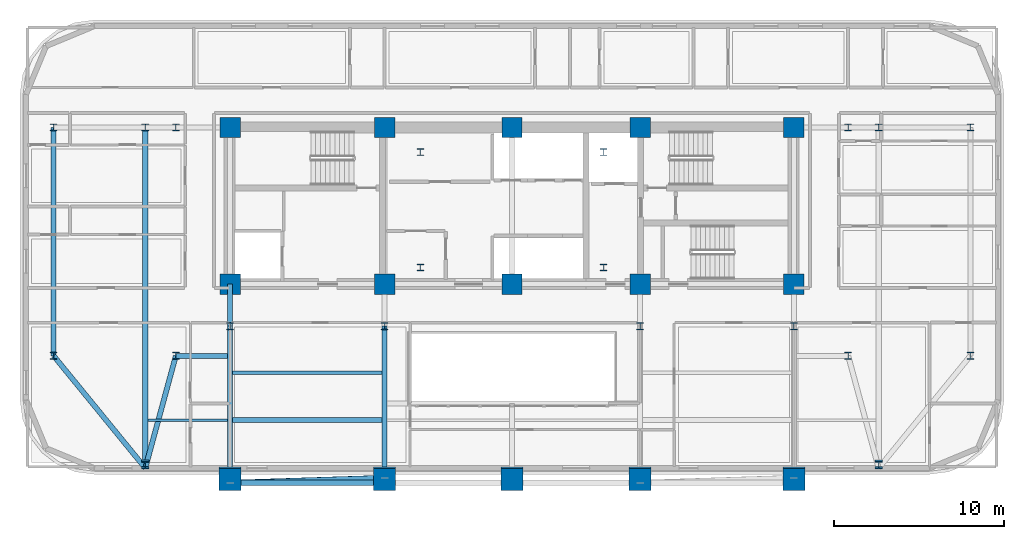
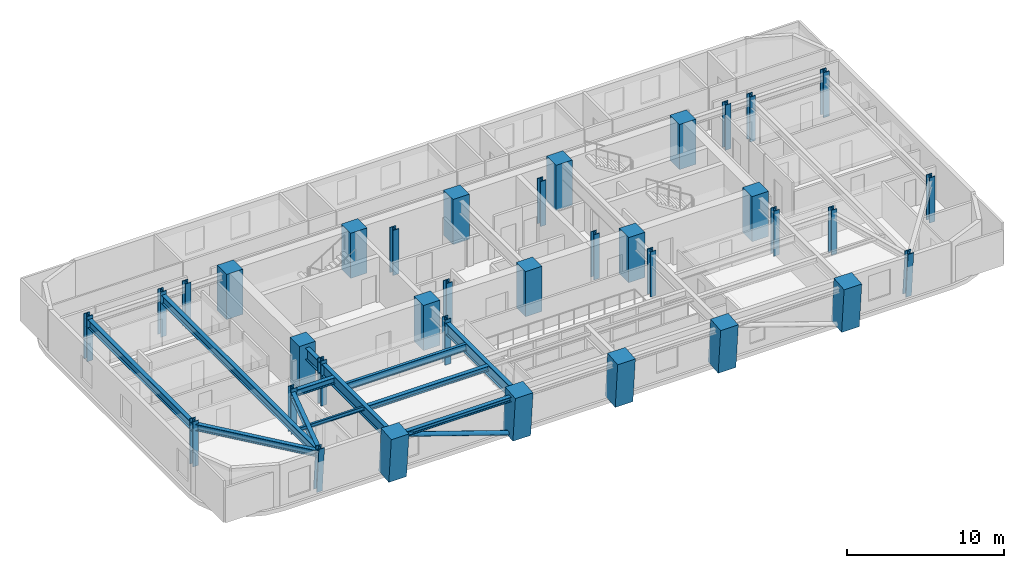
# One storey, part 1 of 14: 35 columns, 12 beams, 1 member.
"""IFC4 building model written with IfcOpenShell, lengths in metres."""

from ifc_helpers import new_model, si_unit, direction, frame, origin, origin_2d, place, context, subcontext, project, spatial, rectangle, hollow_circle, i_section, extrude, material, material_profile, profile_set, type_object, element, save


model = new_model("IFC4")

# Units and contexts
model_context = context("Model", 3, precision=1e-05, world=origin(), true_north=direction((0.0, 1.0)))
body_context = subcontext(model_context, "Body", "Model", "MODEL_VIEW")
ifc_project = project(units=[si_unit("LENGTHUNIT", "METRE"), si_unit("AREAUNIT", "SQUARE_METRE"), si_unit("VOLUMEUNIT", "CUBIC_METRE"), si_unit("PLANEANGLEUNIT", "RADIAN"), si_unit("MASSUNIT", "GRAM", prefix="KILO")], contexts=[model_context])

# Site, building, storey
site_placement = place(None, origin())
site = spatial("IfcSite", under=ifc_project, at=site_placement, CompositionType="ELEMENT")
building_placement = place(site_placement, origin())
building = spatial("IfcBuilding", under=site, at=building_placement, Name="Zarnavel Station Tower", CompositionType="ELEMENT")
storey_placement = place(building_placement, frame((0.0, 0.0, 108.300048828125)))
storey = spatial("IfcBuildingStorey", under=building, at=storey_placement, Name="L29", CompositionType="ELEMENT", Elevation=108.300048828125)

# Columns
ifc_material_1 = material(Name="Steel S460M", Category="steel")
ifc_material_profile_1 = material_profile(ifc_material_1, i_section(OverallWidth=0.41796875, OverallDepth=0.431884765625, WebThickness=0.034912109375, FlangeThickness=0.055908203125, FilletRadius=0.014892578125, at=origin_2d()), Name="HD400x421")
ifc_profile_set_1 = profile_set([ifc_material_profile_1], Name="Steel S460M")
column_type_1 = type_object("IfcColumnType", Name="EC_HD421", PredefinedType="COLUMN", material=ifc_profile_set_1)
for number, where, z_axis, x_axis, name in (
    (1, (1.800048828125, 23.60009765625, 0.0), (0.0, 0.0, 1.0), (1.0, 0.0, 0.0), "L29 Outer Wing South Column 1"),
    (2, (1.800048828125, 37.050048828125, 0.0), (0.0, 0.0, 1.0), (1.0, 0.0, 0.0), "L29 Outer Wing North Column 1"),
):
    element("IfcColumn", number, at=place(storey_placement, frame(where, z_axis=z_axis, x_axis=x_axis)), inside=storey, type_object=column_type_1, Name=name, PredefinedType="COLUMN", context=body_context, shape_type="SweptSolid", body=[
        extrude(i_section(OverallWidth=0.41796875, OverallDepth=0.431884765625, WebThickness=0.034912109375, FlangeThickness=0.055908203125, FilletRadius=0.014892578125, at=origin_2d()), origin(), (0.0, 0.0, 1.0), 3.5),
    ])
for number, where, z_axis, x_axis, name in (
    (3, (7.199951171875, 17.244140625, 0.0), (0.0, -0.079891690793, 0.996803550226), (1.0, 0.0, 0.0), "L29 Raked Wing Column 2"),
    (4, (50.39990234375, 17.244140625, 0.0), (0.0, -0.079891690793, 0.996803550226), (1.0, 0.0, 0.0), "L29 Raked Wing Column 3"),
):
    element("IfcColumn", number, at=place(storey_placement, frame(where, z_axis=z_axis, x_axis=x_axis)), inside=storey, type_object=column_type_1, Name=name, PredefinedType="COLUMN", context=body_context, shape_type="SweptSolid", body=[
        extrude(i_section(OverallWidth=0.41796875, OverallDepth=0.431884765625, WebThickness=0.034912109375, FlangeThickness=0.055908203125, FilletRadius=0.014892578125, at=origin_2d()), origin(), (0.0, 0.0, 1.0), 3.51123046875),
    ])
for number, where, z_axis, x_axis, name in (
    (5, (55.800048828125, 23.60009765625, 0.0), (0.0, 0.0, 1.0), (1.0, 0.0, 0.0), "L29 Outer Wing South Column 4"),
    (6, (55.800048828125, 37.050048828125, 0.0), (0.0, 0.0, 1.0), (1.0, 0.0, 0.0), "L29 Outer Wing North Column 4"),
):
    element("IfcColumn", number, at=place(storey_placement, frame(where, z_axis=z_axis, x_axis=x_axis)), inside=storey, type_object=column_type_1, Name=name, PredefinedType="COLUMN", context=body_context, shape_type="SweptSolid", body=[
        extrude(i_section(OverallWidth=0.41796875, OverallDepth=0.431884765625, WebThickness=0.034912109375, FlangeThickness=0.055908203125, FilletRadius=0.014892578125, at=origin_2d()), origin(), (0.0, 0.0, 1.0), 3.5),
    ])
ifc_material_2 = material(Name="Steel S460M", Category="steel")
ifc_material_profile_2 = material_profile(ifc_material_2, i_section(OverallWidth=0.41796875, OverallDepth=0.431884765625, WebThickness=0.034912109375, FlangeThickness=0.055908203125, FilletRadius=0.014892578125, at=origin_2d()), Name="HD400x421")
ifc_profile_set_2 = profile_set([ifc_material_profile_2], Name="Steel S460M")
column_type_2 = type_object("IfcColumnType", Name="IC_HD421", PredefinedType="COLUMN", material=ifc_profile_set_2)
for number, where, z_axis, x_axis, name in (
    (7, (23.39990234375, 28.800048828125, 0.0), (0.0, 0.0, 1.0), (1.0, 0.0, 0.0), "L29 Mast Spine Column 1"),
    (8, (34.199951171875, 28.800048828125, 0.0), (0.0, 0.0, 1.0), (1.0, 0.0, 0.0), "L29 Mast Spine Column 2"),
    (9, (34.199951171875, 35.60009765625, 0.0), (0.0, 0.0, 1.0), (1.0, 0.0, 0.0), "L29 Mast Spine Column 3"),
    (10, (23.39990234375, 35.60009765625, 0.0), (0.0, 0.0, 1.0), (1.0, 0.0, 0.0), "L29 Mast Spine Column 4"),
    (11, (12.199951171875, 25.35009765625, 0.0), (0.0, 0.0, 1.0), (1.0, 0.0, 0.0), "L29 Inner Spine Column 1"),
    (12, (21.300048828125, 25.35009765625, 0.0), (0.0, 0.0, 1.0), (1.0, 0.0, 0.0), "L29 Inner Spine Column 2"),
    (13, (36.35009765625, 25.35009765625, 0.0), (0.0, 0.0, 1.0), (1.0, 0.0, 0.0), "L29 Inner Spine Column 4"),
    (14, (45.39990234375, 25.35009765625, 0.0), (0.0, 0.0, 1.0), (1.0, 0.0, 0.0), "L29 Inner Spine Column 5"),
    (15, (9.0, 23.60009765625, 0.0), (0.0, 0.0, 1.0), (1.0, 0.0, 0.0), "L29 Inner Wing Spine Column 1-1"),
    (16, (9.0, 37.050048828125, 0.0), (0.0, 0.0, 1.0), (1.0, 0.0, 0.0), "L29 Inner Wing Spine Column 1-2"),
    (17, (48.60009765625, 23.60009765625, 0.0), (0.0, 0.0, 1.0), (1.0, 0.0, 0.0), "L29 Inner Wing Spine Column 2-1"),
    (18, (48.60009765625, 37.050048828125, 0.0), (0.0, 0.0, 1.0), (1.0, 0.0, 0.0), "L29 Inner Wing Spine Column 2-2"),
    (19, (7.199951171875, 37.050048828125, 0.0), (0.0, 0.0, 1.0), (1.0, 0.0, 0.0), "L29 Outer Wing North Column 2"),
    (20, (50.39990234375, 37.050048828125, 0.0), (0.0, 0.0, 1.0), (1.0, 0.0, 0.0), "L29 Outer Wing North Column 3"),
):
    element("IfcColumn", number, at=place(storey_placement, frame(where, z_axis=z_axis, x_axis=x_axis)), inside=storey, type_object=column_type_2, Name=name, PredefinedType="COLUMN", context=body_context, shape_type="SweptSolid", body=[
        extrude(i_section(OverallWidth=0.41796875, OverallDepth=0.431884765625, WebThickness=0.034912109375, FlangeThickness=0.055908203125, FilletRadius=0.014892578125, at=origin_2d()), origin(), (0.0, 0.0, 1.0), 3.5),
    ])
ifc_material_3 = material(Name="Concrete C50/60", Category="concrete")
ifc_material_profile_3 = material_profile(ifc_material_3, rectangle(XDim=1.199951171875, YDim=1.199951171875, at=origin_2d()), Name="RC1200x1200")
ifc_profile_set_3 = profile_set([ifc_material_profile_3], Name="Concrete C50/60")
column_type_3 = type_object("IfcColumnType", Name="IC_RC1200", PredefinedType="COLUMN", material=ifc_profile_set_3)
for number, where, z_axis, x_axis, name in (
    (21, (12.199951171875, 27.820068359375, 0.0), (0.0, 0.0, 1.0), (1.0, 0.0, 0.0), "L29 Core Spine Column 1-1"),
    (22, (12.199951171875, 37.050048828125, 0.0), (0.0, 0.0, 1.0), (1.0, 0.0, 0.0), "L29 Core Spine Column 1-2"),
    (23, (21.300048828125, 27.820068359375, 0.0), (0.0, 0.0, 1.0), (1.0, 0.0, 0.0), "L29 Core Spine Column 2-1"),
    (24, (21.300048828125, 37.050048828125, 0.0), (0.0, 0.0, 1.0), (1.0, 0.0, 0.0), "L29 Core Spine Column 2-2"),
    (25, (28.800048828125, 27.820068359375, 0.0), (0.0, 0.0, 1.0), (1.0, 0.0, 0.0), "L29 Core Spine Column 3-1"),
    (26, (28.800048828125, 37.050048828125, 0.0), (0.0, 0.0, 1.0), (1.0, 0.0, 0.0), "L29 Core Spine Column 3-2"),
    (27, (36.35009765625, 27.820068359375, 0.0), (0.0, 0.0, 1.0), (1.0, 0.0, 0.0), "L29 Core Spine Column 4-1"),
    (28, (36.35009765625, 37.050048828125, 0.0), (0.0, 0.0, 1.0), (1.0, 0.0, 0.0), "L29 Core Spine Column 4-2"),
    (29, (45.39990234375, 27.820068359375, 0.0), (0.0, 0.0, 1.0), (1.0, 0.0, 0.0), "L29 Core Spine Column 5-1"),
    (30, (45.39990234375, 37.050048828125, 0.0), (0.0, 0.0, 1.0), (1.0, 0.0, 0.0), "L29 Core Spine Column 5-2"),
):
    element("IfcColumn", number, at=place(storey_placement, frame(where, z_axis=z_axis, x_axis=x_axis)), inside=storey, type_object=column_type_3, Name=name, PredefinedType="COLUMN", context=body_context, shape_type="SweptSolid", body=[
        extrude(rectangle(XDim=1.199951171875, YDim=1.199951171875, at=origin_2d()), origin(), (0.0, 0.0, 1.0), 3.5),
    ])
ifc_material_4 = material(Name="Concrete C60/75", Category="concrete")
ifc_material_profile_4 = material_profile(ifc_material_4, rectangle(XDim=1.300048828125, YDim=1.300048828125, at=origin_2d()), Name="RC1300x1300")
ifc_profile_set_4 = profile_set([ifc_material_profile_4], Name="Concrete C60/75")
column_type_4 = type_object("IfcColumnType", Name="MC_RC1300", PredefinedType="COLUMN", material=ifc_profile_set_4)
for number, where, z_axis, x_axis, name in (
    (31, (12.199951171875, 16.413818359375, 0.0), (0.0, -0.090241349316, 0.995919925935), (1.0, 0.0, 0.0), "L29 Raked South Mega-Column 1"),
    (32, (21.300048828125, 16.413818359375, 0.0), (0.0, -0.090241349316, 0.995919925935), (1.0, 0.0, 0.0), "L29 Raked South Mega-Column 2"),
    (33, (28.800048828125, 16.413818359375, 0.0), (0.0, -0.090241349316, 0.995919925935), (1.0, 0.0, 0.0), "L29 Raked South Mega-Column 3"),
    (34, (36.35009765625, 16.413818359375, 0.0), (0.0, -0.090241349316, 0.995919925935), (1.0, 0.0, 0.0), "L29 Raked South Mega-Column 4"),
    (35, (45.39990234375, 16.413818359375, 0.0), (0.0, -0.090241349316, 0.995919925935), (1.0, 0.0, 0.0), "L29 Raked South Mega-Column 5"),
):
    element("IfcColumn", number, at=place(storey_placement, frame(where, z_axis=z_axis, x_axis=x_axis)), inside=storey, type_object=column_type_4, Name=name, PredefinedType="COLUMN", context=body_context, shape_type="SweptSolid", body=[
        extrude(rectangle(XDim=1.300048828125, YDim=1.300048828125, at=origin_2d()), origin(), (0.0, 0.0, 1.0), 3.514404296875),
    ])

# Member
ifc_material_5 = material(Name="Steel S355J2", Category="steel")
ifc_material_profile_5 = material_profile(ifc_material_5, hollow_circle(Radius=0.161865234375, WallThickness=0.012451171875, at=origin_2d()), Name="CHS323.9x12.5")
ifc_profile_set_5 = profile_set([ifc_material_profile_5], Name="Steel S355J2")
member_type = type_object("IfcMemberType", Name="DB_EXT_CHS324", PredefinedType="BRACE", material=ifc_profile_set_5)
member_placement = place(storey_placement, frame((21.300048828125, 16.413818359375, 0.0), z_axis=(-0.941635675338, -0.030390827854, 0.335259082669), x_axis=(0.032257711549, -0.999479584607, 0.0)))
element("IfcMember", 36, at=member_placement, inside=storey, type_object=member_type, Name="L29 Persian Exterior Diagonal Frame Brace 1", PredefinedType="BRACE", context=body_context, shape_type="SweptSolid", body=[
    extrude(hollow_circle(Radius=0.161865234375, WallThickness=0.012451171875, at=origin_2d()), origin(), (0.0, 0.0, 1.0), 9.6640625),
])

# Beams
ifc_material_6 = material(Name="Steel S355J2", Category="steel")
ifc_material_profile_6 = material_profile(ifc_material_6, i_section(OverallWidth=0.300048828125, OverallDepth=0.360107421875, WebThickness=0.012451171875, FlangeThickness=0.0224609375, FilletRadius=0.027099609375, at=origin_2d()), Name="HEB360")
ifc_profile_set_6 = profile_set([ifc_material_profile_6], Name="Steel S355J2")
beam_type_1 = type_object("IfcBeamType", Name="EB_HEB360", PredefinedType="SPANDREL", material=ifc_profile_set_6)
beam_1_placement = place(storey_placement, frame((12.199951171875, 16.1201171875, 3.06005859375), z_axis=(1.0, 0.0, 0.0), x_axis=(0.0, 1.0, 0.0)))
element("IfcBeam", 37, at=beam_1_placement, inside=storey, type_object=beam_type_1, Name="L29 South Raked Spandrel 1", PredefinedType="SPANDREL", context=body_context, shape_type="SweptSolid", body=[
    extrude(i_section(OverallWidth=0.300048828125, OverallDepth=0.360107421875, WebThickness=0.012451171875, FlangeThickness=0.0224609375, FilletRadius=0.027099609375, at=origin_2d()), origin(), (0.0, 0.0, 1.0), 9.10009765625),
])
ifc_material_7 = material(Name="Steel S355J2", Category="steel")
ifc_material_profile_7 = material_profile(ifc_material_7, i_section(OverallWidth=0.300048828125, OverallDepth=0.389892578125, WebThickness=0.010986328125, FlangeThickness=0.01904296875, FilletRadius=0.027099609375, at=origin_2d()), Name="HEA400")
ifc_profile_set_7 = profile_set([ifc_material_profile_7], Name="Steel S355J2")
beam_type_2 = type_object("IfcBeamType", Name="FB_HEA400", PredefinedType="BEAM", material=ifc_profile_set_7)
beam_2_placement = place(storey_placement, frame((12.344970703125, 19.8134765625, 3.044921875), z_axis=(1.0, 0.0, 0.0), x_axis=(0.0, 1.0, 0.0)))
element("IfcBeam", 38, at=beam_2_placement, inside=storey, type_object=beam_type_2, Name="L29 West Bay Beam 1", PredefinedType="BEAM", context=body_context, shape_type="SweptSolid", body=[
    extrude(i_section(OverallWidth=0.300048828125, OverallDepth=0.389892578125, WebThickness=0.010986328125, FlangeThickness=0.01904296875, FilletRadius=0.027099609375, at=origin_2d()), origin(), (0.0, 0.0, 1.0), 8.81005859375),
])
ifc_material_8 = material(Name="Steel S355J2", Category="steel")
ifc_material_profile_8 = material_profile(ifc_material_8, i_section(OverallWidth=0.2099609375, OverallDepth=0.550048828125, WebThickness=0.010986328125, FlangeThickness=0.01708984375, FilletRadius=0.02392578125, at=origin_2d()), Name="IPE550")
ifc_profile_set_8 = profile_set([ifc_material_profile_8], Name="Steel S355J2")
beam_type_3 = type_object("IfcBeamType", Name="FB_IPE550", PredefinedType="BEAM", material=ifc_profile_set_8)
beam_3_placement = place(storey_placement, frame((12.344970703125, 22.606689453125, 2.96484375), z_axis=(1.0, 0.0, 0.0), x_axis=(0.0, 1.0, 0.0)))
element("IfcBeam", 39, at=beam_3_placement, inside=storey, type_object=beam_type_3, Name="L29 West Bay Beam 2", PredefinedType="BEAM", context=body_context, shape_type="SweptSolid", body=[
    extrude(i_section(OverallWidth=0.2099609375, OverallDepth=0.550048828125, WebThickness=0.010986328125, FlangeThickness=0.01708984375, FilletRadius=0.02392578125, at=origin_2d()), origin(), (0.0, 0.0, 1.0), 8.81005859375),
])
ifc_material_9 = material(Name="Steel S355J2", Category="steel")
ifc_material_profile_9 = material_profile(ifc_material_9, i_section(OverallWidth=0.300048828125, OverallDepth=0.5, WebThickness=0.014404296875, FlangeThickness=0.028076171875, FilletRadius=0.027099609375, at=origin_2d()), Name="HEB500")
ifc_profile_set_9 = profile_set([ifc_material_profile_9], Name="Steel S355J2")
beam_type_4 = type_object("IfcBeamType", Name="FG_HEB500", PredefinedType="USERDEFINED", material=ifc_profile_set_9)
beam_4_placement = place(storey_placement, frame((1.800048828125, 23.60009765625, 2.989990234375), z_axis=(0.632342176196, -0.774689210073, 0.0), x_axis=(0.774689210073, 0.632342176196, 0.0)))
element("IfcBeam", 40, at=beam_4_placement, inside=storey, type_object=beam_type_4, Name="L29 West Wing South Tie 1", ObjectType="GIRDER", PredefinedType="USERDEFINED", context=body_context, shape_type="SweptSolid", body=[
    extrude(i_section(OverallWidth=0.300048828125, OverallDepth=0.5, WebThickness=0.014404296875, FlangeThickness=0.028076171875, FilletRadius=0.027099609375, at=origin_2d()), origin(), (0.0, 0.0, 1.0), 8.53955078125),
])
beam_5_placement = place(storey_placement, frame((7.199951171875, 16.984619140625, 2.989990234375), z_axis=(0.26255089105, 0.964918146585, 0.0), x_axis=(-0.964918146585, 0.26255089105, 0.0)))
element("IfcBeam", 41, at=beam_5_placement, inside=storey, type_object=beam_type_4, Name="L29 West Wing South Tie 2", ObjectType="GIRDER", PredefinedType="USERDEFINED", context=body_context, shape_type="SweptSolid", body=[
    extrude(i_section(OverallWidth=0.300048828125, OverallDepth=0.5, WebThickness=0.014404296875, FlangeThickness=0.028076171875, FilletRadius=0.027099609375, at=origin_2d()), origin(), (0.0, 0.0, 1.0), 6.85595703125),
])
beam_6_placement = place(storey_placement, frame((9.0, 23.60009765625, 2.989990234375), z_axis=(1.0, 0.0, 0.0), x_axis=(0.0, 1.0, 0.0)))
element("IfcBeam", 42, at=beam_6_placement, inside=storey, type_object=beam_type_4, Name="L29 West Wing South Tie 3", ObjectType="GIRDER", PredefinedType="USERDEFINED", context=body_context, shape_type="SweptSolid", body=[
    extrude(i_section(OverallWidth=0.300048828125, OverallDepth=0.5, WebThickness=0.014404296875, FlangeThickness=0.028076171875, FilletRadius=0.027099609375, at=origin_2d()), origin(), (0.0, 0.0, 1.0), 3.054931640625),
])
ifc_material_10 = material(Name="Steel S355J2", Category="steel")
ifc_material_profile_10 = material_profile(ifc_material_10, i_section(OverallWidth=0.300048828125, OverallDepth=0.64990234375, WebThickness=0.01611328125, FlangeThickness=0.031005859375, FilletRadius=0.027099609375, at=origin_2d()), Name="HEB650")
ifc_profile_set_10 = profile_set([ifc_material_profile_10], Name="Steel S355J2")
beam_type_5 = type_object("IfcBeamType", Name="FG_HEB650", PredefinedType="USERDEFINED", material=ifc_profile_set_10)
beam_7_placement = place(storey_placement, frame((1.800048828125, 23.60009765625, 2.9150390625), z_axis=(0.0, 1.0, 0.0), x_axis=(-1.0, 0.0, 0.0)))
element("IfcBeam", 43, at=beam_7_placement, inside=storey, type_object=beam_type_5, Name="L29 Wing NS Girder 1", ObjectType="GIRDER", PredefinedType="USERDEFINED", context=body_context, shape_type="SweptSolid", body=[
    extrude(i_section(OverallWidth=0.300048828125, OverallDepth=0.64990234375, WebThickness=0.01611328125, FlangeThickness=0.031005859375, FilletRadius=0.027099609375, at=origin_2d()), origin(), (0.0, 0.0, 1.0), 13.449951171875),
])
beam_8_placement = place(storey_placement, frame((7.199951171875, 16.984619140625, 2.9150390625), z_axis=(0.0, 1.0, 0.0), x_axis=(-1.0, 0.0, 0.0)))
element("IfcBeam", 44, at=beam_8_placement, inside=storey, type_object=beam_type_5, Name="L29 Wing NS Girder 2", ObjectType="GIRDER", PredefinedType="USERDEFINED", context=body_context, shape_type="SweptSolid", body=[
    extrude(i_section(OverallWidth=0.300048828125, OverallDepth=0.64990234375, WebThickness=0.01611328125, FlangeThickness=0.031005859375, FilletRadius=0.027099609375, at=origin_2d()), origin(), (0.0, 0.0, 1.0), 20.0654296875),
])
ifc_material_11 = material(Name="Steel S355J2", Category="steel")
ifc_material_profile_11 = material_profile(ifc_material_11, i_section(OverallWidth=0.14990234375, OverallDepth=0.300048828125, WebThickness=0.007080078125, FlangeThickness=0.0107421875, FilletRadius=0.014892578125, at=origin_2d()), Name="IPE300")
ifc_profile_set_11 = profile_set([ifc_material_profile_11], Name="Steel S355J2")
beam_type_6 = type_object("IfcBeamType", Name="FJ_IPE300", PredefinedType="JOIST", material=ifc_profile_set_11)
beam_9_placement = place(storey_placement, frame((7.344970703125, 19.8134765625, 3.08984375), z_axis=(1.0, 0.0, 0.0), x_axis=(0.0, 1.0, 0.0)))
element("IfcBeam", 45, at=beam_9_placement, inside=storey, type_object=beam_type_6, Name="L29 West Wing Joist 1", PredefinedType="JOIST", context=body_context, shape_type="SweptSolid", body=[
    extrude(i_section(OverallWidth=0.14990234375, OverallDepth=0.300048828125, WebThickness=0.007080078125, FlangeThickness=0.0107421875, FilletRadius=0.014892578125, at=origin_2d()), origin(), (0.0, 0.0, 1.0), 4.7099609375),
])
ifc_material_12 = material(Name="Steel S460M", Category="steel")
ifc_material_profile_12 = material_profile(ifc_material_12, i_section(OverallWidth=0.302001953125, OverallDepth=0.909912109375, WebThickness=0.02099609375, FlangeThickness=0.0400390625, FilletRadius=0.030029296875, at=origin_2d()), Name="HEM900")
ifc_profile_set_12 = profile_set([ifc_material_profile_12], Name="Steel S460M")
beam_type_7 = type_object("IfcBeamType", Name="TG_HEM900", PredefinedType="USERDEFINED", material=ifc_profile_set_12)
beam_10_placement = place(storey_placement, frame((12.199951171875, 16.1201171875, 2.784912109375), z_axis=(0.0, 1.0, 0.0), x_axis=(-1.0, 0.0, 0.0)))
element("IfcBeam", 46, at=beam_10_placement, inside=storey, type_object=beam_type_7, Name="L29 South-Zone NS Girder 1", ObjectType="GIRDER", PredefinedType="USERDEFINED", context=body_context, shape_type="SweptSolid", body=[
    extrude(i_section(OverallWidth=0.302001953125, OverallDepth=0.909912109375, WebThickness=0.02099609375, FlangeThickness=0.0400390625, FilletRadius=0.030029296875, at=origin_2d()), origin(), (0.0, 0.0, 1.0), 9.22998046875),
])
beam_11_placement = place(storey_placement, frame((12.199951171875, 25.35009765625, 2.784912109375), z_axis=(0.0, 1.0, 0.0), x_axis=(-1.0, 0.0, 0.0)))
element("IfcBeam", 47, at=beam_11_placement, inside=storey, type_object=beam_type_7, Name="L29 Inner-Zone NS Girder 1", ObjectType="GIRDER", PredefinedType="USERDEFINED", context=body_context, shape_type="SweptSolid", body=[
    extrude(i_section(OverallWidth=0.302001953125, OverallDepth=0.909912109375, WebThickness=0.02099609375, FlangeThickness=0.0400390625, FilletRadius=0.030029296875, at=origin_2d()), origin(), (0.0, 0.0, 1.0), 2.469970703125),
])
beam_12_placement = place(storey_placement, frame((21.300048828125, 16.1201171875, 2.784912109375), z_axis=(0.0, 1.0, 0.0), x_axis=(-1.0, 0.0, 0.0)))
element("IfcBeam", 48, at=beam_12_placement, inside=storey, type_object=beam_type_7, Name="L29 South-Zone NS Girder 2", ObjectType="GIRDER", PredefinedType="USERDEFINED", context=body_context, shape_type="SweptSolid", body=[
    extrude(i_section(OverallWidth=0.302001953125, OverallDepth=0.909912109375, WebThickness=0.02099609375, FlangeThickness=0.0400390625, FilletRadius=0.030029296875, at=origin_2d()), origin(), (0.0, 0.0, 1.0), 9.22998046875),
])

save(model, "model.ifc")
